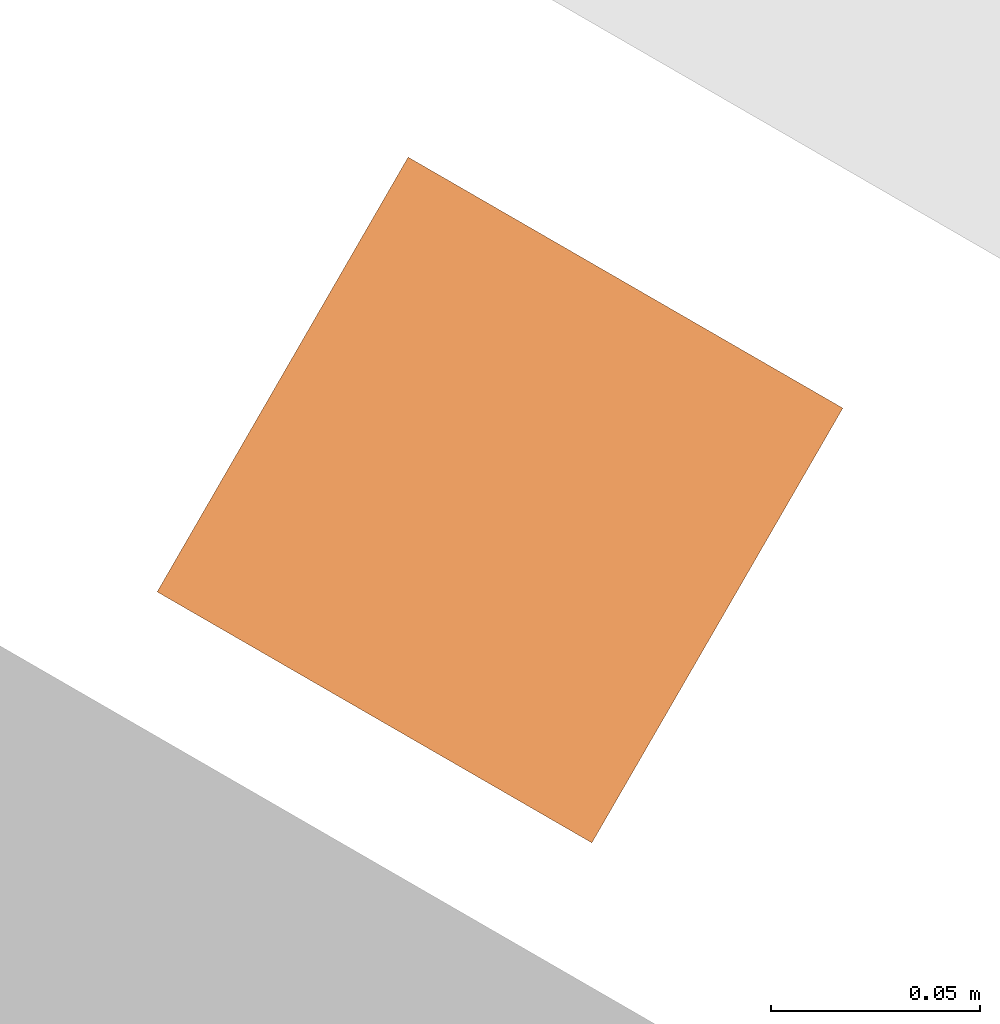
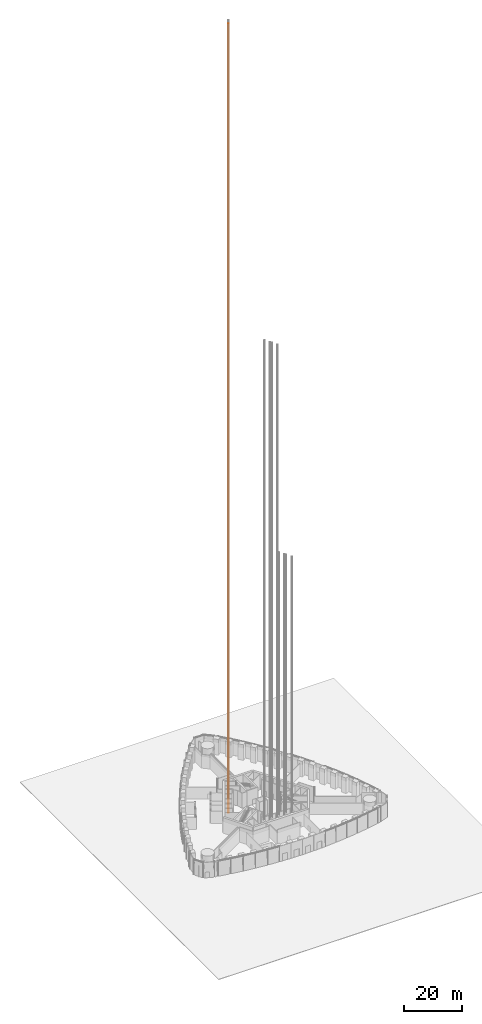
# One storey, part 37 of 43: 1 proxy.
"""IFC4 building model written with IfcOpenShell, lengths in metres."""

from ifc_helpers import new_model, si_unit, direction, frame, origin, origin_2d, place, context, subcontext, project, spatial, rectangle, extrude, element, save


model = new_model("IFC4")

# Units and contexts
model_context = context("Model", 3, precision=1e-05, world=origin(), true_north=direction((0.0, 1.0)))
body_context = subcontext(model_context, "Body", "Model", "MODEL_VIEW")
ifc_project = project(units=[si_unit("LENGTHUNIT", "METRE"), si_unit("AREAUNIT", "SQUARE_METRE"), si_unit("VOLUMEUNIT", "CUBIC_METRE"), si_unit("PLANEANGLEUNIT", "RADIAN"), si_unit("MASSUNIT", "GRAM", prefix="KILO")], contexts=[model_context])

# Site, building, storey
site_placement = place(None, origin())
site = spatial("IfcSite", under=ifc_project, at=site_placement, CompositionType="ELEMENT")
building_placement = place(site_placement, origin())
building = spatial("IfcBuilding", under=site, at=building_placement, Name="Trefoil Bronze Tower", CompositionType="ELEMENT")
storey_placement = place(building_placement, origin())
storey = spatial("IfcBuildingStorey", under=building, at=storey_placement, Name="L00", CompositionType="ELEMENT", Elevation=0.0)

# Proxy
proxy_placement = place(storey_placement, frame((-8.21435546875, 8.397216796875, -1.60009765625), z_axis=(0.0, 0.0, 1.0), x_axis=(-0.5, -0.866025403784, 0.0)))
element("IfcBuildingElementProxy", 1, at=proxy_placement, inside=storey, Name="Lift S5 guide rail 2", ObjectType="LIFT GUIDE RAIL", PredefinedType="USERDEFINED", context=body_context, shape_type="SweptSolid", body=[
    extrude(rectangle(XDim=0.1201171875, YDim=0.1201171875, at=origin_2d()), origin(), (0.0, 0.0, 1.0), 329.550048828125),
])

save(model, "model.ifc")
